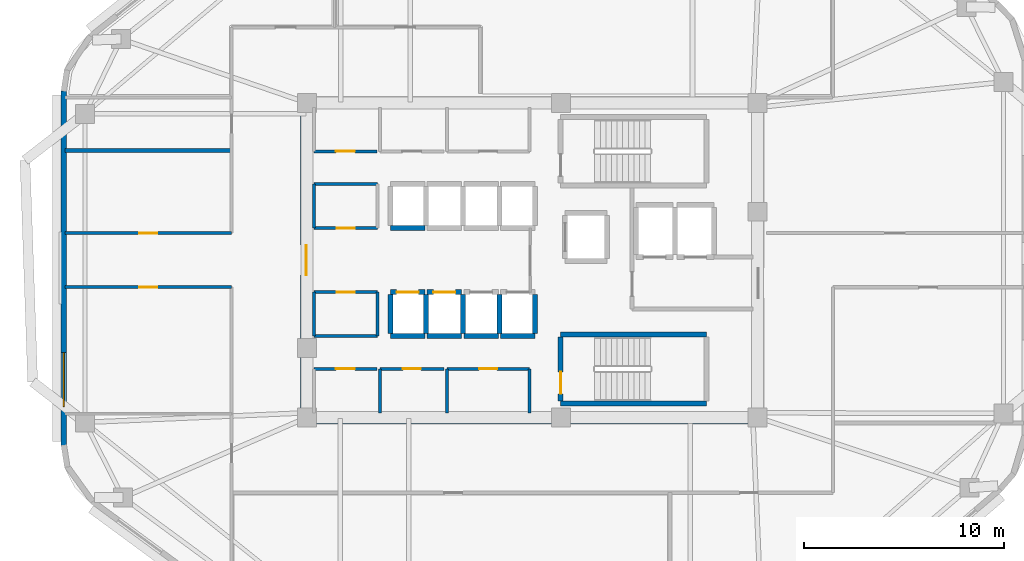
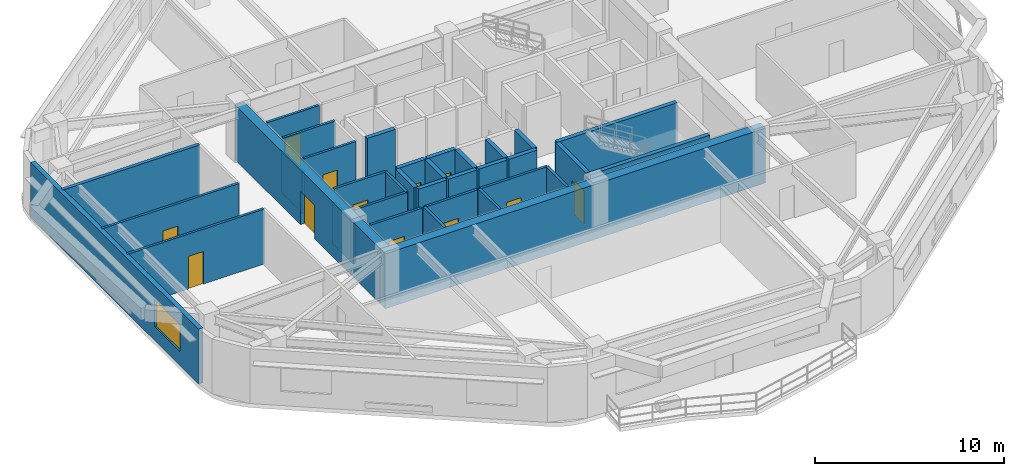
# One storey, part 3 of 8: 35 walls, 12 doors, 1 window, 13 openings.
"""IFC4 building model written with IfcOpenShell, lengths in metres."""

from ifc_helpers import new_model, si_unit, direction, frame, frame_2d, origin, place, context, subcontext, project, spatial, rectangle, extrude, material, layer, layer_set, type_object, element, fill, save


model = new_model("IFC4")

# Units and contexts
model_context = context("Model", 3, precision=1e-05, world=origin(), true_north=direction((0.0, 1.0)))
body_context = subcontext(model_context, "Body", "Model", "MODEL_VIEW")
ifc_project = project(units=[si_unit("LENGTHUNIT", "METRE"), si_unit("AREAUNIT", "SQUARE_METRE"), si_unit("VOLUMEUNIT", "CUBIC_METRE"), si_unit("PLANEANGLEUNIT", "RADIAN"), si_unit("MASSUNIT", "GRAM", prefix="KILO")], contexts=[model_context])

# Site, building, storey
site_placement = place(None, origin())
site = spatial("IfcSite", under=ifc_project, at=site_placement, CompositionType="ELEMENT")
building_placement = place(site_placement, origin())
building = spatial("IfcBuilding", under=site, at=building_placement, Name="Zulverin Broadcast Headquarters", CompositionType="ELEMENT")
storey_placement = place(building_placement, frame((0.0, 0.0, 166.800048828125)))
storey = spatial("IfcBuildingStorey", under=building, at=storey_placement, Name="L42", CompositionType="ELEMENT", Elevation=166.800048828125)

# Walls
ifc_material_1 = material(Name="Acoustic drywall steel stud", Category="steel")
ifc_layer_1 = layer(ifc_material_1, 0.199951171875, Name="Acoustic drywall steel stud", Category="steel")
ifc_layer_set_1 = layer_set([ifc_layer_1], Name="Acoustic drywall steel stud")
wall_type_1 = type_object("IfcWallType", Name="WL-ACOU-200", PredefinedType="PARTITIONING", material=ifc_layer_set_1)
wall_1_placement = place(storey_placement, frame((13.60498046875, 30.699951171875, 0.0), z_axis=(0.0, 0.0, 1.0), x_axis=(1.0, 0.0, 0.0)))
element("IfcWall", 1, at=wall_1_placement, inside=storey, type_object=wall_type_1, Name="L42 Room Partition Wall RP-15", PredefinedType="PARTITIONING", context=body_context, shape_type="SweptSolid", body=[
    extrude(rectangle(XDim=8.344970703125, YDim=0.199951171875, at=frame_2d((4.17236328125, 0.0))), origin(), (0.0, 0.0, 1.0), 3.5400390625),
])
ifc_material_2 = material(Name="Concrete C60/75", Category="concrete")
ifc_layer_2 = layer(ifc_material_2, 0.550048828125, Name="Concrete C60/75", Category="concrete")
ifc_layer_set_2 = layer_set([ifc_layer_2], Name="Concrete C60/75")
wall_type_2 = type_object("IfcWallType", Name="WL-CORE-550", PredefinedType="SHEAR", material=ifc_layer_set_2)
wall_2_placement = place(storey_placement, frame((25.39990234375, 17.27490234375, 0.0), z_axis=(0.0, 0.0, 1.0), x_axis=(1.0, 0.0, 0.0)))
element("IfcWall", 2, at=wall_2_placement, inside=storey, type_object=wall_type_2, Name="L42 Core South Shear Wall", PredefinedType="SHEAR", context=body_context, shape_type="SweptSolid", body=[
    extrude(rectangle(XDim=23.2001953125, YDim=0.550048828125, at=frame_2d((11.60009765625, 0.0))), origin(), (0.0, 0.0, 1.0), 3.5400390625),
])

# Wall, opening, door
wall_3_placement = place(storey_placement, frame((25.675048828125, 17.550048828125, 0.0), z_axis=(0.0, 0.0, 1.0), x_axis=(0.0, 1.0, 0.0)))
wall_3 = element("IfcWall", 3, at=wall_3_placement, inside=storey, type_object=wall_type_2, Name="L42 Core West Shear Wall", PredefinedType="SHEAR", context=body_context, shape_type="SweptSolid", body=[
    extrude(rectangle(XDim=15.300048828125, YDim=0.550048828125, at=frame_2d((7.64990234375, 0.0))), origin(), (0.0, 0.0, 1.0), 3.5400390625),
])
opening_1_placement = place(wall_3_placement, frame((6.89990234375, 0.0, 0.0)))
opening_1 = element("IfcOpeningElement", 4, at=opening_1_placement, cuts=wall_3, Name="Opening D-L42-CW1", PredefinedType="OPENING", context=body_context, shape_type="SweptSolid", body=[
    extrude(rectangle(XDim=1.5, YDim=2.14990234375, at=frame_2d((0.75, 1.074951171875))), frame((0.0, 0.284912109375, 0.0), z_axis=(0.0, -1.0, 0.0), x_axis=(1.0, 0.0, 0.0)), (0.0, 0.0, 1.0), 0.570068359375),
])
ifc_material_3 = material(Name="Fire-rated glazed steel frame", Category="steel")
door_type_1 = type_object("IfcDoorType", Name="DR-COR-1500", OperationType="DOUBLE_DOOR_SINGLE_SWING", PredefinedType="DOOR", material=ifc_material_3)
door_1_placement = place(opening_1_placement, origin())
door_1 = element("IfcDoor", 5, at=door_1_placement, inside=storey, type_object=door_type_1, Name="L42 Central Lift Lobby West Portal Door", OperationType="DOUBLE_DOOR_SINGLE_SWING", OverallHeight=2.14990234375, OverallWidth=1.5, PredefinedType="DOOR", context=body_context, shape_type="SweptSolid", body=[
    extrude(rectangle(XDim=1.5, YDim=2.14990234375, at=frame_2d((0.75, 1.074951171875))), frame((0.0, 0.02490234375, 0.0), z_axis=(0.0, -1.0, 0.0), x_axis=(1.0, 0.0, 0.0)), (0.0, 0.0, 1.0), 0.050048828125),
])
fill(opening_1, door_1)

# Wall, opening, window
ifc_material_4 = material(Name="Insulated pale-metal clad concrete spandrel C40/50", Category="concrete")
ifc_layer_3 = layer(ifc_material_4, 0.280029296875, Name="Insulated pale-metal clad concrete spandrel C40/50", Category="concrete")
ifc_layer_set_3 = layer_set([ifc_layer_3], Name="Insulated pale-metal clad concrete spandrel C40/50")
wall_type_3 = type_object("IfcWallType", Name="WL-EXT-280", PredefinedType="STANDARD", material=ifc_layer_set_3)
wall_4_placement = place(storey_placement, frame((13.5400390625, 33.673095703125, 0.0), z_axis=(0.0, 0.0, 1.0), x_axis=(0.0, -1.0, 0.0)))
wall_4 = element("IfcWall", 6, at=wall_4_placement, inside=storey, type_object=wall_type_3, Name="L42 Pale-Metal Clad Spandrel Wall 7", PredefinedType="STANDARD", context=body_context, shape_type="SweptSolid", body=[
    extrude(rectangle(XDim=17.751220703125, YDim=0.280029296875, at=frame_2d((8.87548828125, 0.0))), origin(), (0.0, 0.0, 1.0), 3.5400390625),
])
opening_2_placement = place(wall_4_placement, frame((13.109375, 0.0, 0.89990234375)))
opening_2 = element("IfcOpeningElement", 7, at=opening_2_placement, cuts=wall_4, Name="Opening W-L42-E71", PredefinedType="OPENING", context=body_context, shape_type="SweptSolid", body=[
    extrude(rectangle(XDim=2.699951171875, YDim=1.75, at=frame_2d((1.35009765625, 0.875))), frame((0.0, 0.14990234375, 0.0), z_axis=(0.0, -1.0, 0.0), x_axis=(1.0, 0.0, 0.0)), (0.0, 0.0, 1.0), 0.300048828125),
])
ifc_material_5 = material(Name="Pale anodized aluminium frame with solar-control low-E double glazing", Category="aluminium")
window_type = type_object("IfcWindowType", Name="WIN-TWR-2700", PartitioningType="SINGLE_PANEL", PredefinedType="WINDOW", material=ifc_material_5)
window_placement = place(opening_2_placement, origin())
window = element("IfcWindow", 8, at=window_placement, inside=storey, type_object=window_type, Name="L42 Ribbon Glazing Window 7 1", OverallHeight=1.75, OverallWidth=2.699951171875, PartitioningType="SINGLE_PANEL", PredefinedType="WINDOW", context=body_context, shape_type="SweptSolid", body=[
    extrude(rectangle(XDim=2.699951171875, YDim=1.75, at=frame_2d((1.35009765625, 0.875))), frame((0.0, 0.030029296875, 0.0), z_axis=(0.0, -1.0, 0.0), x_axis=(1.0, 0.0, 0.0)), (0.0, 0.0, 1.0), 0.06005859375),
])
fill(opening_2, window)

# Wall, opening, door
ifc_material_6 = material(Name="Fire-rated gypsum stud partition", Category="gypsum")
ifc_layer_4 = layer(ifc_material_6, 0.14990234375, Name="Fire-rated gypsum stud partition", Category="gypsum")
ifc_layer_set_4 = layer_set([ifc_layer_4], Name="Fire-rated gypsum stud partition")
wall_type_4 = type_object("IfcWallType", Name="WL-PART-150", PredefinedType="PARTITIONING", material=ifc_layer_set_4)
wall_5_placement = place(storey_placement, frame((26.070068359375, 30.64990234375, 0.0), z_axis=(0.0, 0.0, 1.0), x_axis=(1.0, 0.0, 0.0)))
wall_5 = element("IfcWall", 9, at=wall_5_placement, inside=storey, type_object=wall_type_4, Name="L42 Core Male WC Front Wall", PredefinedType="PARTITIONING", context=body_context, shape_type="SweptSolid", body=[
    extrude(rectangle(XDim=3.14990234375, YDim=0.14990234375, at=frame_2d((1.574951171875, 0.0))), origin(), (0.0, 0.0, 1.0), 3.5400390625),
])
opening_3_placement = place(wall_5_placement, frame((1.10009765625, 0.0, 0.0)))
opening_3 = element("IfcOpeningElement", 10, at=opening_3_placement, cuts=wall_5, Name="Opening D-L42-NC1", PredefinedType="OPENING", context=body_context, shape_type="SweptSolid", body=[
    extrude(rectangle(XDim=0.949951171875, YDim=2.10009765625, at=frame_2d((0.47509765625, 1.050048828125))), frame((0.0, 0.0849609375, 0.0), z_axis=(0.0, -1.0, 0.0), x_axis=(1.0, 0.0, 0.0)), (0.0, 0.0, 1.0), 0.169921875),
])
ifc_material_7 = material(Name="Fire-rated moisture-resistant laminate leaf", Category="wood")
door_type_2 = type_object("IfcDoorType", Name="DR-WC-950", OperationType="SINGLE_SWING_LEFT", PredefinedType="DOOR", material=ifc_material_7)
door_2_placement = place(opening_3_placement, origin())
door_2 = element("IfcDoor", 11, at=door_2_placement, inside=storey, type_object=door_type_2, Name="L42 Male WC Door", OperationType="SINGLE_SWING_LEFT", OverallHeight=2.10009765625, OverallWidth=0.949951171875, PredefinedType="DOOR", context=body_context, shape_type="SweptSolid", body=[
    extrude(rectangle(XDim=0.949951171875, YDim=2.10009765625, at=frame_2d((0.47509765625, 1.050048828125))), frame((0.0, 0.02490234375, 0.0), z_axis=(0.0, -1.0, 0.0), x_axis=(1.0, 0.0, 0.0)), (0.0, 0.0, 1.0), 0.050048828125),
])
fill(opening_3, door_2)

wall_6_placement = place(storey_placement, frame((26.070068359375, 19.75, 0.0), z_axis=(0.0, 0.0, 1.0), x_axis=(1.0, 0.0, 0.0)))
wall_6 = element("IfcWall", 12, at=wall_6_placement, inside=storey, type_object=wall_type_4, Name="L42 Core Female WC Front Wall", PredefinedType="PARTITIONING", context=body_context, shape_type="SweptSolid", body=[
    extrude(rectangle(XDim=3.14990234375, YDim=0.14990234375, at=frame_2d((1.574951171875, 0.0))), origin(), (0.0, 0.0, 1.0), 3.5400390625),
])
opening_4_placement = place(wall_6_placement, frame((1.10009765625, 0.0, 0.0)))
opening_4 = element("IfcOpeningElement", 13, at=opening_4_placement, cuts=wall_6, Name="Opening D-L42-SC1", PredefinedType="OPENING", context=body_context, shape_type="SweptSolid", body=[
    extrude(rectangle(XDim=0.949951171875, YDim=2.10009765625, at=frame_2d((0.47509765625, 1.050048828125))), frame((0.0, 0.0849609375, 0.0), z_axis=(0.0, -1.0, 0.0), x_axis=(1.0, 0.0, 0.0)), (0.0, 0.0, 1.0), 0.169921875),
])
door_3_placement = place(opening_4_placement, origin())
door_3 = element("IfcDoor", 14, at=door_3_placement, inside=storey, type_object=door_type_2, Name="L42 Female WC Door", OperationType="SINGLE_SWING_RIGHT", OverallHeight=2.10009765625, OverallWidth=0.949951171875, PredefinedType="DOOR", context=body_context, shape_type="SweptSolid", body=[
    extrude(rectangle(XDim=0.949951171875, YDim=2.10009765625, at=frame_2d((0.47509765625, 1.050048828125))), frame((0.0, 0.02490234375, 0.0), z_axis=(0.0, -1.0, 0.0), x_axis=(1.0, 0.0, 0.0)), (0.0, 0.0, 1.0), 0.050048828125),
])
fill(opening_4, door_3)

wall_7_placement = place(storey_placement, frame((29.3798828125, 19.75, 0.0), z_axis=(0.0, 0.0, 1.0), x_axis=(1.0, 0.0, 0.0)))
wall_7 = element("IfcWall", 15, at=wall_7_placement, inside=storey, type_object=wall_type_4, Name="L42 Core Cleaner Store Front Wall", PredefinedType="PARTITIONING", context=body_context, shape_type="SweptSolid", body=[
    extrude(rectangle(XDim=3.190185546875, YDim=0.14990234375, at=frame_2d((1.59521484375, 0.0))), origin(), (0.0, 0.0, 1.0), 3.5400390625),
])
opening_5_placement = place(wall_7_placement, frame((1.14501953125, 0.0, 0.0)))
opening_5 = element("IfcOpeningElement", 16, at=opening_5_placement, cuts=wall_7, Name="Opening D-L42-SC2", PredefinedType="OPENING", context=body_context, shape_type="SweptSolid", body=[
    extrude(rectangle(XDim=0.89990234375, YDim=2.10009765625, at=frame_2d((0.449951171875, 1.050048828125))), frame((0.0, 0.0849609375, 0.0), z_axis=(0.0, -1.0, 0.0), x_axis=(1.0, 0.0, 0.0)), (0.0, 0.0, 1.0), 0.169921875),
])
ifc_material_8 = material(Name="Powder-coated steel access leaf", Category="steel")
door_type_3 = type_object("IfcDoorType", Name="DR-RISER-900", OperationType="SINGLE_SWING_LEFT", PredefinedType="DOOR", material=ifc_material_8)
door_4_placement = place(opening_5_placement, origin())
door_4 = element("IfcDoor", 17, at=door_4_placement, inside=storey, type_object=door_type_3, Name="L42 Cleaner Store Door", OperationType="SINGLE_SWING_LEFT", OverallHeight=2.10009765625, OverallWidth=0.89990234375, PredefinedType="DOOR", context=body_context, shape_type="SweptSolid", body=[
    extrude(rectangle(XDim=0.89990234375, YDim=2.10009765625, at=frame_2d((0.449951171875, 1.050048828125))), frame((0.0, 0.02490234375, 0.0), z_axis=(0.0, -1.0, 0.0), x_axis=(1.0, 0.0, 0.0)), (0.0, 0.0, 1.0), 0.050048828125),
])
fill(opening_5, door_4)

# Wall
wall_8_placement = place(storey_placement, frame((29.3798828125, 17.550048828125, 0.0), z_axis=(0.0, 0.0, 1.0), x_axis=(0.0, 1.0, 0.0)))
element("IfcWall", 18, at=wall_8_placement, inside=storey, type_object=wall_type_4, Name="L42 Core Cleaner Store West Wall", PredefinedType="PARTITIONING", context=body_context, shape_type="SweptSolid", body=[
    extrude(rectangle(XDim=2.199951171875, YDim=0.14990234375, at=frame_2d((1.10009765625, 0.0))), origin(), (0.0, 0.0, 1.0), 3.5400390625),
])

# Wall, opening, door
wall_9_placement = place(storey_placement, frame((32.72998046875, 19.75, 0.0), z_axis=(0.0, 0.0, 1.0), x_axis=(1.0, 0.0, 0.0)))
wall_9 = element("IfcWall", 19, at=wall_9_placement, inside=storey, type_object=wall_type_4, Name="L42 Core Broadcast Fibre Riser Front Wall", PredefinedType="PARTITIONING", context=body_context, shape_type="SweptSolid", body=[
    extrude(rectangle(XDim=4.1201171875, YDim=0.14990234375, at=frame_2d((2.06005859375, 0.0))), origin(), (0.0, 0.0, 1.0), 3.5400390625),
])
opening_6_placement = place(wall_9_placement, frame((1.610107421875, 0.0, 0.0)))
opening_6 = element("IfcOpeningElement", 20, at=opening_6_placement, cuts=wall_9, Name="Opening D-L42-SC3", PredefinedType="OPENING", context=body_context, shape_type="SweptSolid", body=[
    extrude(rectangle(XDim=0.89990234375, YDim=2.10009765625, at=frame_2d((0.449951171875, 1.050048828125))), frame((0.0, 0.0849609375, 0.0), z_axis=(0.0, -1.0, 0.0), x_axis=(1.0, 0.0, 0.0)), (0.0, 0.0, 1.0), 0.169921875),
])
door_5_placement = place(opening_6_placement, origin())
door_5 = element("IfcDoor", 21, at=door_5_placement, inside=storey, type_object=door_type_3, Name="L42 Broadcast Fibre Riser Door", OperationType="SINGLE_SWING_RIGHT", OverallHeight=2.10009765625, OverallWidth=0.89990234375, PredefinedType="DOOR", context=body_context, shape_type="SweptSolid", body=[
    extrude(rectangle(XDim=0.89990234375, YDim=2.10009765625, at=frame_2d((0.449951171875, 1.050048828125))), frame((0.0, 0.02490234375, 0.0), z_axis=(0.0, -1.0, 0.0), x_axis=(1.0, 0.0, 0.0)), (0.0, 0.0, 1.0), 0.050048828125),
])
fill(opening_6, door_5)

# Walls
for number, where, z_axis, x_axis, name in (
    (22, (32.72998046875, 17.550048828125, 0.0), (0.0, 0.0, 1.0), (0.0, 1.0, 0.0), "L42 Core Broadcast Fibre Riser West Wall"),
    (23, (36.85009765625, 17.550048828125, 0.0), (0.0, 0.0, 1.0), (0.0, 1.0, 0.0), "L42 Core Broadcast Fibre Riser East Wall"),
):
    element("IfcWall", number, at=place(storey_placement, frame(where, z_axis=z_axis, x_axis=x_axis)), inside=storey, type_object=wall_type_4, Name=name, PredefinedType="PARTITIONING", context=body_context, shape_type="SweptSolid", body=[
        extrude(rectangle(XDim=2.199951171875, YDim=0.14990234375, at=frame_2d((1.10009765625, 0.0))), origin(), (0.0, 0.0, 1.0), 3.5400390625),
    ])

# Wall, opening, door
wall_10_placement = place(storey_placement, frame((26.070068359375, 26.800048828125, 0.0), z_axis=(0.0, 0.0, 1.0), x_axis=(1.0, 0.0, 0.0)))
wall_10 = element("IfcWall", 24, at=wall_10_placement, inside=storey, type_object=wall_type_4, Name="L42 Core UPS Battery Store S Wall", PredefinedType="PARTITIONING", context=body_context, shape_type="SweptSolid", body=[
    extrude(rectangle(XDim=3.179931640625, YDim=0.14990234375, at=frame_2d((1.58984375, 0.0))), origin(), (0.0, 0.0, 1.0), 3.5400390625),
])
opening_7_placement = place(wall_10_placement, frame((1.139892578125, 0.0, 0.0)))
opening_7 = element("IfcOpeningElement", 25, at=opening_7_placement, cuts=wall_10, Name="Opening D-L42-RCLN", PredefinedType="OPENING", context=body_context, shape_type="SweptSolid", body=[
    extrude(rectangle(XDim=0.89990234375, YDim=2.10009765625, at=frame_2d((0.449951171875, 1.050048828125))), frame((0.0, 0.0849609375, 0.0), z_axis=(0.0, -1.0, 0.0), x_axis=(1.0, 0.0, 0.0)), (0.0, 0.0, 1.0), 0.169921875),
])
door_6_placement = place(opening_7_placement, origin())
door_6 = element("IfcDoor", 26, at=door_6_placement, inside=storey, type_object=door_type_3, Name="L42 Core UPS Battery Store Door", OperationType="SINGLE_SWING_LEFT", OverallHeight=2.10009765625, OverallWidth=0.89990234375, PredefinedType="DOOR", context=body_context, shape_type="SweptSolid", body=[
    extrude(rectangle(XDim=0.89990234375, YDim=2.10009765625, at=frame_2d((0.449951171875, 1.050048828125))), frame((0.0, 0.02490234375, 0.0), z_axis=(0.0, -1.0, 0.0), x_axis=(1.0, 0.0, 0.0)), (0.0, 0.0, 1.0), 0.050048828125),
])
fill(opening_7, door_6)

# Walls
wall_11_placement = place(storey_placement, frame((26.070068359375, 29.0, 0.0), z_axis=(0.0, 0.0, 1.0), x_axis=(1.0, 0.0, 0.0)))
element("IfcWall", 27, at=wall_11_placement, inside=storey, type_object=wall_type_4, Name="L42 Core UPS Battery Store N Wall", PredefinedType="PARTITIONING", context=body_context, shape_type="SweptSolid", body=[
    extrude(rectangle(XDim=3.179931640625, YDim=0.14990234375, at=frame_2d((1.58984375, 0.0))), origin(), (0.0, 0.0, 1.0), 3.5400390625),
])
wall_12_placement = place(storey_placement, frame((26.070068359375, 26.800048828125, 0.0), z_axis=(0.0, 0.0, 1.0), x_axis=(0.0, 1.0, 0.0)))
element("IfcWall", 28, at=wall_12_placement, inside=storey, type_object=wall_type_4, Name="L42 Core UPS Battery Store W Wall", PredefinedType="PARTITIONING", context=body_context, shape_type="SweptSolid", body=[
    extrude(rectangle(XDim=2.199951171875, YDim=0.14990234375, at=frame_2d((1.10009765625, 0.0))), origin(), (0.0, 0.0, 1.0), 2.639892578125),
])
wall_13_placement = place(storey_placement, frame((26.070068359375, 21.39990234375, 0.0), z_axis=(0.0, 0.0, 1.0), x_axis=(1.0, 0.0, 0.0)))
element("IfcWall", 29, at=wall_13_placement, inside=storey, type_object=wall_type_4, Name="L42 Housekeeping Equipment Store S Wall", PredefinedType="PARTITIONING", context=body_context, shape_type="SweptSolid", body=[
    extrude(rectangle(XDim=3.179931640625, YDim=0.14990234375, at=frame_2d((1.58984375, 0.0))), origin(), (0.0, 0.0, 1.0), 3.5400390625),
])

# Wall, opening, door
wall_14_placement = place(storey_placement, frame((26.070068359375, 23.60009765625, 0.0), z_axis=(0.0, 0.0, 1.0), x_axis=(1.0, 0.0, 0.0)))
wall_14 = element("IfcWall", 30, at=wall_14_placement, inside=storey, type_object=wall_type_4, Name="L42 Housekeeping Equipment Store N Wall", PredefinedType="PARTITIONING", context=body_context, shape_type="SweptSolid", body=[
    extrude(rectangle(XDim=3.179931640625, YDim=0.14990234375, at=frame_2d((1.58984375, 0.0))), origin(), (0.0, 0.0, 1.0), 3.5400390625),
])
opening_8_placement = place(wall_14_placement, frame((1.139892578125, 0.0, 0.0)))
opening_8 = element("IfcOpeningElement", 31, at=opening_8_placement, cuts=wall_14, Name="Opening D-L42-RCLS", PredefinedType="OPENING", context=body_context, shape_type="SweptSolid", body=[
    extrude(rectangle(XDim=0.89990234375, YDim=2.10009765625, at=frame_2d((0.449951171875, 1.050048828125))), frame((0.0, 0.0849609375, 0.0), z_axis=(0.0, -1.0, 0.0), x_axis=(1.0, 0.0, 0.0)), (0.0, 0.0, 1.0), 0.169921875),
])
door_7_placement = place(opening_8_placement, origin())
door_7 = element("IfcDoor", 32, at=door_7_placement, inside=storey, type_object=door_type_3, Name="L42 Housekeeping Equipment Store Door", OperationType="SINGLE_SWING_RIGHT", OverallHeight=2.10009765625, OverallWidth=0.89990234375, PredefinedType="DOOR", context=body_context, shape_type="SweptSolid", body=[
    extrude(rectangle(XDim=0.89990234375, YDim=2.10009765625, at=frame_2d((0.449951171875, 1.050048828125))), frame((0.0, 0.02490234375, 0.0), z_axis=(0.0, -1.0, 0.0), x_axis=(1.0, 0.0, 0.0)), (0.0, 0.0, 1.0), 0.050048828125),
])
fill(opening_8, door_7)

# Walls
wall_15_placement = place(storey_placement, frame((26.070068359375, 21.39990234375, 0.0), z_axis=(0.0, 0.0, 1.0), x_axis=(0.0, 1.0, 0.0)))
element("IfcWall", 33, at=wall_15_placement, inside=storey, type_object=wall_type_4, Name="L42 Housekeeping Equipment Store W Wall", PredefinedType="PARTITIONING", context=body_context, shape_type="SweptSolid", body=[
    extrude(rectangle(XDim=2.2001953125, YDim=0.14990234375, at=frame_2d((1.10009765625, 0.0))), origin(), (0.0, 0.0, 1.0), 2.639892578125),
])
wall_16_placement = place(storey_placement, frame((29.25, 21.39990234375, 0.0), z_axis=(0.0, 0.0, 1.0), x_axis=(0.0, 1.0, 0.0)))
element("IfcWall", 34, at=wall_16_placement, inside=storey, type_object=wall_type_4, Name="L42 Housekeeping Equipment Store E Wall", PredefinedType="PARTITIONING", context=body_context, shape_type="SweptSolid", body=[
    extrude(rectangle(XDim=2.2001953125, YDim=0.14990234375, at=frame_2d((1.10009765625, 0.0))), origin(), (0.0, 0.0, 1.0), 3.5400390625),
])

# Wall, opening, door
wall_17_placement = place(storey_placement, frame((13.60498046875, 23.85009765625, 0.0), z_axis=(0.0, 0.0, 1.0), x_axis=(1.0, 0.0, 0.0)))
wall_17 = element("IfcWall", 35, at=wall_17_placement, inside=storey, type_object=wall_type_4, Name="L42 Gallery Partition Wall CG-11", PredefinedType="PARTITIONING", context=body_context, shape_type="SweptSolid", body=[
    extrude(rectangle(XDim=8.344970703125, YDim=0.14990234375, at=frame_2d((4.17236328125, 0.0))), origin(), (0.0, 0.0, 1.0), 3.5400390625),
])
opening_9_placement = place(wall_17_placement, frame((3.722412109375, 0.0, 0.0)))
opening_9 = element("IfcOpeningElement", 36, at=opening_9_placement, cuts=wall_17, Name="Opening D-L42-06", PredefinedType="OPENING", context=body_context, shape_type="SweptSolid", body=[
    extrude(rectangle(XDim=0.89990234375, YDim=2.10009765625, at=frame_2d((0.449951171875, 1.050048828125))), frame((0.0, 0.0849609375, 0.0), z_axis=(0.0, -1.0, 0.0), x_axis=(1.0, 0.0, 0.0)), (0.0, 0.0, 1.0), 0.169921875),
])
ifc_material_9 = material(Name="Fire-rated hardwood veneer timber leaf", Category="wood")
door_type_4 = type_object("IfcDoorType", Name="DR-ROOM-900", OperationType="SINGLE_SWING_RIGHT", PredefinedType="DOOR", material=ifc_material_9)
door_8_placement = place(opening_9_placement, origin())
door_8 = element("IfcDoor", 37, at=door_8_placement, inside=storey, type_object=door_type_4, Name="L42 Briefing Room Door", OperationType="SINGLE_SWING_LEFT", OverallHeight=2.10009765625, OverallWidth=0.89990234375, PredefinedType="DOOR", context=body_context, shape_type="SweptSolid", body=[
    extrude(rectangle(XDim=0.89990234375, YDim=2.10009765625, at=frame_2d((0.449951171875, 1.050048828125))), frame((0.0, 0.02490234375, 0.0), z_axis=(0.0, -1.0, 0.0), x_axis=(1.0, 0.0, 0.0)), (0.0, 0.0, 1.0), 0.050048828125),
])
fill(opening_9, door_8)

wall_18_placement = place(storey_placement, frame((13.60498046875, 26.550048828125, 0.0), z_axis=(0.0, 0.0, 1.0), x_axis=(1.0, 0.0, 0.0)))
wall_18 = element("IfcWall", 38, at=wall_18_placement, inside=storey, type_object=wall_type_4, Name="L42 Gallery Partition Wall CG-13", PredefinedType="PARTITIONING", context=body_context, shape_type="SweptSolid", body=[
    extrude(rectangle(XDim=8.344970703125, YDim=0.14990234375, at=frame_2d((4.17236328125, 0.0))), origin(), (0.0, 0.0, 1.0), 3.5400390625),
])
opening_10_placement = place(wall_18_placement, frame((3.722412109375, 0.0, 0.0)))
opening_10 = element("IfcOpeningElement", 39, at=opening_10_placement, cuts=wall_18, Name="Opening D-L42-07", PredefinedType="OPENING", context=body_context, shape_type="SweptSolid", body=[
    extrude(rectangle(XDim=0.89990234375, YDim=2.10009765625, at=frame_2d((0.449951171875, 1.050048828125))), frame((0.0, 0.0849609375, 0.0), z_axis=(0.0, -1.0, 0.0), x_axis=(1.0, 0.0, 0.0)), (0.0, 0.0, 1.0), 0.169921875),
])
door_9_placement = place(opening_10_placement, origin())
door_9 = element("IfcDoor", 40, at=door_9_placement, inside=storey, type_object=door_type_4, Name="L42 Archive Library Door", OperationType="SINGLE_SWING_RIGHT", OverallHeight=2.10009765625, OverallWidth=0.89990234375, PredefinedType="DOOR", context=body_context, shape_type="SweptSolid", body=[
    extrude(rectangle(XDim=0.89990234375, YDim=2.10009765625, at=frame_2d((0.449951171875, 1.050048828125))), frame((0.0, 0.02490234375, 0.0), z_axis=(0.0, -1.0, 0.0), x_axis=(1.0, 0.0, 0.0)), (0.0, 0.0, 1.0), 0.050048828125),
])
fill(opening_10, door_9)

# Walls
ifc_material_10 = material(Name="Concrete C50/60", Category="concrete")
ifc_layer_5 = layer(ifc_material_10, 0.25, Name="Concrete C50/60", Category="concrete")
ifc_layer_set_5 = layer_set([ifc_layer_5], Name="Concrete C50/60")
wall_type_5 = type_object("IfcWallType", Name="WL-SHAFT-250", PredefinedType="SHEAR", material=ifc_layer_set_5)
for number, where, z_axis, x_axis, name in (
    (41, (38.425048828125, 18.02490234375, 0.0), (0.0, 0.0, 1.0), (1.0, 0.0, 0.0), "L42 ST-2 Enclosure Wall S"),
    (42, (38.425048828125, 21.47509765625, 0.0), (0.0, 0.0, 1.0), (1.0, 0.0, 0.0), "L42 ST-2 Enclosure Wall N"),
):
    element("IfcWall", number, at=place(storey_placement, frame(where, z_axis=z_axis, x_axis=x_axis)), inside=storey, type_object=wall_type_5, Name=name, PredefinedType="SHEAR", context=body_context, shape_type="SweptSolid", body=[
        extrude(rectangle(XDim=7.300048828125, YDim=0.25, at=frame_2d((3.64990234375, 0.0))), origin(), (0.0, 0.0, 1.0), 3.5400390625),
    ])

# Wall, opening, door
wall_19_placement = place(storey_placement, frame((38.425048828125, 18.14990234375, 0.0), z_axis=(0.0, 0.0, 1.0), x_axis=(0.0, 1.0, 0.0)))
wall_19 = element("IfcWall", 43, at=wall_19_placement, inside=storey, type_object=wall_type_5, Name="L42 ST-2 Enclosure Wall W", PredefinedType="SHEAR", context=body_context, shape_type="SweptSolid", body=[
    extrude(rectangle(XDim=3.2001953125, YDim=0.25, at=frame_2d((1.60009765625, 0.0))), origin(), (0.0, 0.0, 1.0), 3.5400390625),
])
opening_11_placement = place(wall_19_placement, frame((0.35009765625, 0.0, 0.0)))
opening_11 = element("IfcOpeningElement", 44, at=opening_11_placement, cuts=wall_19, Name="Opening D-L42-ST-2", PredefinedType="OPENING", context=body_context, shape_type="SweptSolid", body=[
    extrude(rectangle(XDim=1.10009765625, YDim=2.14990234375, at=frame_2d((0.550048828125, 1.074951171875))), frame((0.0, 0.135009765625, 0.0), z_axis=(0.0, -1.0, 0.0), x_axis=(1.0, 0.0, 0.0)), (0.0, 0.0, 1.0), 0.27001953125),
])
ifc_material_11 = material(Name="Fire-rated steel leaf and frame", Category="steel")
door_type_5 = type_object("IfcDoorType", Name="DR-STAIR-1100", OperationType="SINGLE_SWING_LEFT", PredefinedType="DOOR", material=ifc_material_11)
door_10_placement = place(opening_11_placement, origin())
door_10 = element("IfcDoor", 45, at=door_10_placement, inside=storey, type_object=door_type_5, Name="L42 Exit Stair ST-2 Fire Door", OperationType="SINGLE_SWING_RIGHT", OverallHeight=2.14990234375, OverallWidth=1.10009765625, PredefinedType="DOOR", context=body_context, shape_type="SweptSolid", body=[
    extrude(rectangle(XDim=1.10009765625, YDim=2.14990234375, at=frame_2d((0.550048828125, 1.074951171875))), frame((0.0, 0.02490234375, 0.0), z_axis=(0.0, -1.0, 0.0), x_axis=(1.0, 0.0, 0.0)), (0.0, 0.0, 1.0), 0.050048828125),
])
fill(opening_11, door_10)

# Wall
wall_20_placement = place(storey_placement, frame((29.89990234375, 21.39990234375, 0.0), z_axis=(0.0, 0.0, 1.0), x_axis=(1.0, 0.0, 0.0)))
element("IfcWall", 46, at=wall_20_placement, inside=storey, type_object=wall_type_5, Name="L42 Lift PL-M1 Shaft Wall S", PredefinedType="SHEAR", context=body_context, shape_type="SweptSolid", body=[
    extrude(rectangle(XDim=1.72021484375, YDim=0.25, at=frame_2d((0.860107421875, 0.0))), origin(), (0.0, 0.0, 1.0), 3.5400390625),
])

# Wall, opening, door
wall_21_placement = place(storey_placement, frame((29.89990234375, 23.60009765625, 0.0), z_axis=(0.0, 0.0, 1.0), x_axis=(1.0, 0.0, 0.0)))
wall_21 = element("IfcWall", 47, at=wall_21_placement, inside=storey, type_object=wall_type_5, Name="L42 Lift PL-M1 Shaft Wall N", PredefinedType="SHEAR", context=body_context, shape_type="SweptSolid", body=[
    extrude(rectangle(XDim=1.72021484375, YDim=0.25, at=frame_2d((0.860107421875, 0.0))), origin(), (0.0, 0.0, 1.0), 3.5400390625),
])
opening_12_placement = place(wall_21_placement, frame((0.31005859375, 0.0, 0.0)))
opening_12 = element("IfcOpeningElement", 48, at=opening_12_placement, cuts=wall_21, Name="Opening LD-PL-M1-L42", PredefinedType="OPENING", context=body_context, shape_type="SweptSolid", body=[
    extrude(rectangle(XDim=1.10009765625, YDim=2.14990234375, at=frame_2d((0.550048828125, 1.074951171875))), frame((0.0, 0.135009765625, 0.0), z_axis=(0.0, -1.0, 0.0), x_axis=(1.0, 0.0, 0.0)), (0.0, 0.0, 1.0), 0.27001953125),
])
ifc_material_12 = material(Name="Brushed stainless steel landing", Category="steel")
door_type_6 = type_object("IfcDoorType", Name="LD-PASS-1100", OperationType="DOUBLE_DOOR_SLIDING", PredefinedType="DOOR", material=ifc_material_12)
door_11_placement = place(opening_12_placement, origin())
door_11 = element("IfcDoor", 49, at=door_11_placement, inside=storey, type_object=door_type_6, Name="L42 Lift PL-M1 Sliding Landing Door", OperationType="DOUBLE_DOOR_SLIDING", OverallHeight=2.14990234375, OverallWidth=1.10009765625, PredefinedType="DOOR", context=body_context, shape_type="SweptSolid", body=[
    extrude(rectangle(XDim=1.10009765625, YDim=2.14990234375, at=frame_2d((0.550048828125, 1.074951171875))), frame((0.0, 0.02490234375, 0.0), z_axis=(0.0, -1.0, 0.0), x_axis=(1.0, 0.0, 0.0)), (0.0, 0.0, 1.0), 0.050048828125),
])
fill(opening_12, door_11)

# Walls
for number, where, z_axis, x_axis, name in (
    (50, (29.89990234375, 21.52001953125, 0.0), (0.0, 0.0, 1.0), (0.0, 1.0, 0.0), "L42 Lift PL-M1 Shaft Wall W"),
    (51, (31.679931640625, 21.52001953125, 0.0), (0.0, 0.0, 1.0), (0.0, 1.0, 0.0), "L42 Lift PL-M1 Shaft Wall E"),
):
    element("IfcWall", number, at=place(storey_placement, frame(where, z_axis=z_axis, x_axis=x_axis)), inside=storey, type_object=wall_type_5, Name=name, PredefinedType="SHEAR", context=body_context, shape_type="SweptSolid", body=[
        extrude(rectangle(XDim=1.9599609375, YDim=0.25, at=frame_2d((0.97998046875, 0.0))), origin(), (0.0, 0.0, 1.0), 3.5400390625),
    ])
wall_22_placement = place(storey_placement, frame((31.739990234375, 21.39990234375, 0.0), z_axis=(0.0, 0.0, 1.0), x_axis=(1.0, 0.0, 0.0)))
element("IfcWall", 52, at=wall_22_placement, inside=storey, type_object=wall_type_5, Name="L42 Lift PL-M2 Shaft Wall S", PredefinedType="SHEAR", context=body_context, shape_type="SweptSolid", body=[
    extrude(rectangle(XDim=1.719970703125, YDim=0.25, at=frame_2d((0.85986328125, 0.0))), origin(), (0.0, 0.0, 1.0), 3.5400390625),
])

# Wall, opening, door
wall_23_placement = place(storey_placement, frame((31.739990234375, 23.60009765625, 0.0), z_axis=(0.0, 0.0, 1.0), x_axis=(1.0, 0.0, 0.0)))
wall_23 = element("IfcWall", 53, at=wall_23_placement, inside=storey, type_object=wall_type_5, Name="L42 Lift PL-M2 Shaft Wall N", PredefinedType="SHEAR", context=body_context, shape_type="SweptSolid", body=[
    extrude(rectangle(XDim=1.719970703125, YDim=0.25, at=frame_2d((0.85986328125, 0.0))), origin(), (0.0, 0.0, 1.0), 3.5400390625),
])
opening_13_placement = place(wall_23_placement, frame((0.31005859375, 0.0, 0.0)))
opening_13 = element("IfcOpeningElement", 54, at=opening_13_placement, cuts=wall_23, Name="Opening LD-PL-M2-L42", PredefinedType="OPENING", context=body_context, shape_type="SweptSolid", body=[
    extrude(rectangle(XDim=1.10009765625, YDim=2.14990234375, at=frame_2d((0.550048828125, 1.074951171875))), frame((0.0, 0.135009765625, 0.0), z_axis=(0.0, -1.0, 0.0), x_axis=(1.0, 0.0, 0.0)), (0.0, 0.0, 1.0), 0.27001953125),
])
door_12_placement = place(opening_13_placement, origin())
door_12 = element("IfcDoor", 55, at=door_12_placement, inside=storey, type_object=door_type_6, Name="L42 Lift PL-M2 Sliding Landing Door", OperationType="DOUBLE_DOOR_SLIDING", OverallHeight=2.14990234375, OverallWidth=1.10009765625, PredefinedType="DOOR", context=body_context, shape_type="SweptSolid", body=[
    extrude(rectangle(XDim=1.10009765625, YDim=2.14990234375, at=frame_2d((0.550048828125, 1.074951171875))), frame((0.0, 0.02490234375, 0.0), z_axis=(0.0, -1.0, 0.0), x_axis=(1.0, 0.0, 0.0)), (0.0, 0.0, 1.0), 0.050048828125),
])
fill(opening_13, door_12)

# Walls
wall_24_placement = place(storey_placement, frame((33.52001953125, 21.52001953125, 0.0), z_axis=(0.0, 0.0, 1.0), x_axis=(0.0, 1.0, 0.0)))
element("IfcWall", 56, at=wall_24_placement, inside=storey, type_object=wall_type_5, Name="L42 Lift PL-M2 Shaft Wall E", PredefinedType="SHEAR", context=body_context, shape_type="SweptSolid", body=[
    extrude(rectangle(XDim=1.9599609375, YDim=0.25, at=frame_2d((0.97998046875, 0.0))), origin(), (0.0, 0.0, 1.0), 3.5400390625),
])
wall_25_placement = place(storey_placement, frame((33.580078125, 21.39990234375, 0.0), z_axis=(0.0, 0.0, 1.0), x_axis=(1.0, 0.0, 0.0)))
element("IfcWall", 57, at=wall_25_placement, inside=storey, type_object=wall_type_5, Name="L42 Lift PL-M3 Shaft Wall S", PredefinedType="SHEAR", context=body_context, shape_type="SweptSolid", body=[
    extrude(rectangle(XDim=1.719970703125, YDim=0.25, at=frame_2d((0.85986328125, 0.0))), origin(), (0.0, 0.0, 1.0), 3.5400390625),
])
wall_26_placement = place(storey_placement, frame((35.360107421875, 21.52001953125, 0.0), z_axis=(0.0, 0.0, 1.0), x_axis=(0.0, 1.0, 0.0)))
element("IfcWall", 58, at=wall_26_placement, inside=storey, type_object=wall_type_5, Name="L42 Lift PL-M3 Shaft Wall E", PredefinedType="SHEAR", context=body_context, shape_type="SweptSolid", body=[
    extrude(rectangle(XDim=1.9599609375, YDim=0.25, at=frame_2d((0.97998046875, 0.0))), origin(), (0.0, 0.0, 1.0), 3.5400390625),
])
wall_27_placement = place(storey_placement, frame((35.419921875, 21.39990234375, 0.0), z_axis=(0.0, 0.0, 1.0), x_axis=(1.0, 0.0, 0.0)))
element("IfcWall", 59, at=wall_27_placement, inside=storey, type_object=wall_type_5, Name="L42 Lift PL-M4 Shaft Wall S", PredefinedType="SHEAR", context=body_context, shape_type="SweptSolid", body=[
    extrude(rectangle(XDim=1.719970703125, YDim=0.25, at=frame_2d((0.85986328125, 0.0))), origin(), (0.0, 0.0, 1.0), 3.5400390625),
])
wall_28_placement = place(storey_placement, frame((37.139892578125, 21.52001953125, 0.0), z_axis=(0.0, 0.0, 1.0), x_axis=(0.0, 1.0, 0.0)))
element("IfcWall", 60, at=wall_28_placement, inside=storey, type_object=wall_type_5, Name="L42 Lift PL-M4 Shaft Wall E", PredefinedType="SHEAR", context=body_context, shape_type="SweptSolid", body=[
    extrude(rectangle(XDim=1.9599609375, YDim=0.25, at=frame_2d((0.97998046875, 0.0))), origin(), (0.0, 0.0, 1.0), 3.5400390625),
])
wall_29_placement = place(storey_placement, frame((29.89990234375, 26.800048828125, 0.0), z_axis=(0.0, 0.0, 1.0), x_axis=(1.0, 0.0, 0.0)))
element("IfcWall", 61, at=wall_29_placement, inside=storey, type_object=wall_type_5, Name="L42 Lift PL-H1 Shaft Wall S", PredefinedType="SHEAR", context=body_context, shape_type="SweptSolid", body=[
    extrude(rectangle(XDim=1.72021484375, YDim=0.25, at=frame_2d((0.860107421875, 0.0))), origin(), (0.0, 0.0, 1.0), 3.5400390625),
])

save(model, "model.ifc")
